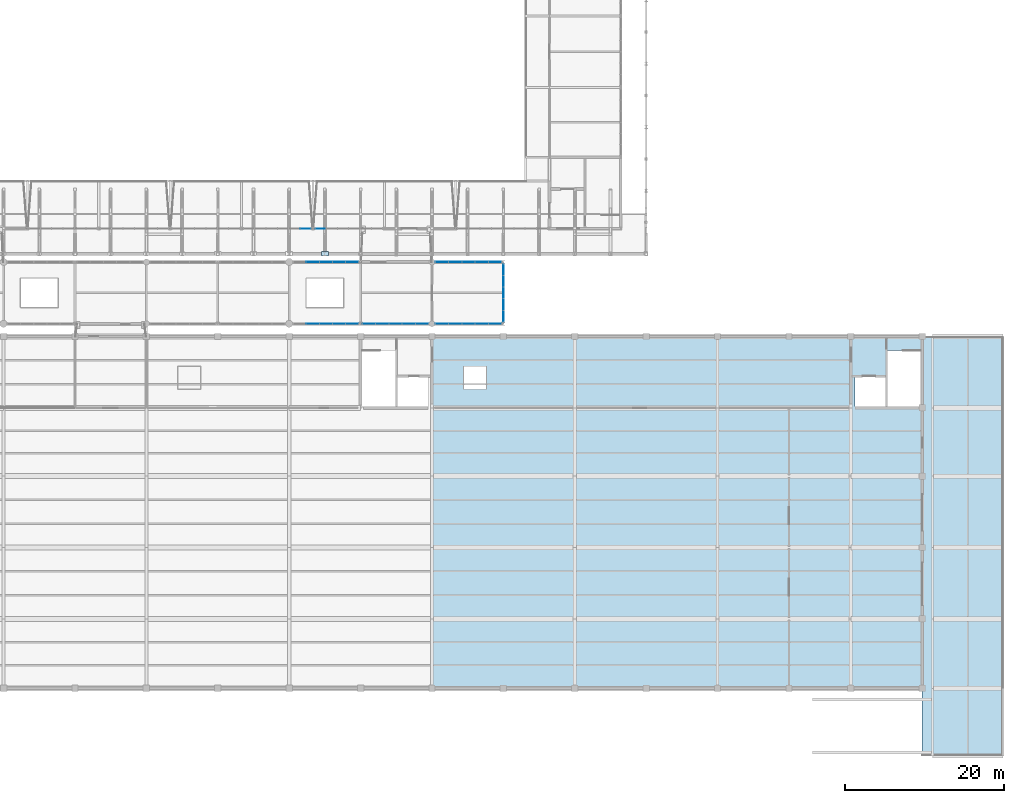
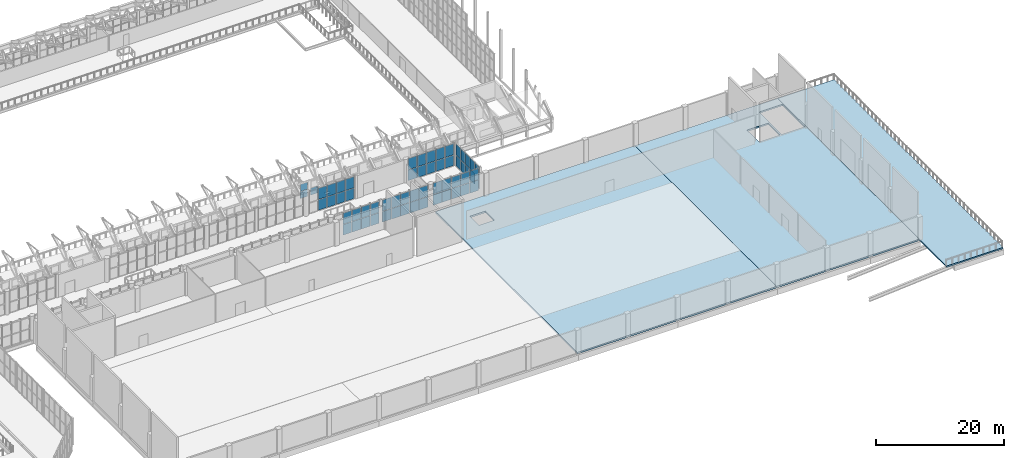
# One storey, part 101 of 134: 60 plates, 3 slabs, 8 elements without a shape of their own.
"""IFC4 building model written with IfcOpenShell, lengths in metres."""

from ifc_helpers import new_model, si_unit, direction, frame, origin, origin_2d, place, context, subcontext, project, spatial, polyline, rectangle, outline, extrude, material, layer, layer_set, type_object, element, aggregate, save


model = new_model("IFC4")

# Units and contexts
model_context = context("Model", 3, precision=1e-05, world=origin(), true_north=direction((0.0, 1.0)))
body_context = subcontext(model_context, "Body", "Model", "MODEL_VIEW")
ifc_project = project(units=[si_unit("LENGTHUNIT", "METRE"), si_unit("AREAUNIT", "SQUARE_METRE"), si_unit("VOLUMEUNIT", "CUBIC_METRE"), si_unit("PLANEANGLEUNIT", "RADIAN"), si_unit("MASSUNIT", "GRAM", prefix="KILO")], contexts=[model_context])

# Site, building, storey
site_placement = place(None, origin())
site = spatial("IfcSite", under=ifc_project, at=site_placement, CompositionType="ELEMENT")
building_placement = place(site_placement, origin())
building = spatial("IfcBuilding", under=site, at=building_placement, Name="Cazmaro Siding Exhibition Halls", CompositionType="ELEMENT")
storey_placement = place(building_placement, frame((0.0, 0.0, 12.0)))
storey = spatial("IfcBuildingStorey", under=building, at=storey_placement, Name="L02", CompositionType="ELEMENT", Elevation=12.0)

# Plate
ifc_material_1 = material(Name="Steel ASTM A572 Grade 50", Category="steel")
ifc_layer_1 = layer(ifc_material_1, 0.053955078125)
ifc_layer_set_1 = layer_set([ifc_layer_1], Name="Steel ASTM A572 Grade 50")
plate_type_1 = type_object("IfcPlateType", Name="CP-10", PredefinedType="SHEET", material=ifc_layer_set_1)
plate_1_placement = place(storey_placement, frame((130.5, 64.050048828125, 1.9228515625), z_axis=(0.0, 0.0, 1.0), x_axis=(1.0, 0.0, 0.0)))
element("IfcPlate", 1, at=plate_1_placement, inside=storey, type_object=plate_type_1, Name="Space frame vault springing end-cap plate CP-10 node TN-01", PredefinedType="SHEET", context=body_context, shape_type="SweptSolid", body=[
    extrude(rectangle(XDim=0.8798828125, YDim=0.56005859375, at=origin_2d()), origin(), (0.0, 0.0, 1.0), 0.053955078125),
])

# Curtain wall, plates
ifc_material_2 = material(Name="Anodized Bronze Aluminum and Solar-Control Low-E Glazing", Category="aluminium")
ifc_layer_2 = layer(ifc_material_2, 0.199951171875)
ifc_layer_set_2 = layer_set([ifc_layer_2], Name="Anodized Bronze Aluminum and Solar-Control Low-E Glazing")
curtain_wall_type_1 = type_object("IfcCurtainWallType", Name="CWS-02", PredefinedType="USERDEFINED", material=ifc_layer_set_2)
curtain_wall_1_placement = place(storey_placement, origin())
curtain_wall_1 = element("IfcCurtainWall", 2, at=curtain_wall_1_placement, inside=storey, type_object=curtain_wall_type_1, Name="Glazed Curtain Wall CWS-02 CW-193", ObjectType="GLAZED CURTAIN WALL", PredefinedType="USERDEFINED")
ifc_material_3 = material(Name="Solar-Control Low-E Double Insulating Glass", Category="glass")
ifc_layer_3 = layer(ifc_material_3, 0.035888671875)
ifc_layer_set_3 = layer_set([ifc_layer_3], Name="Solar-Control Low-E Double Insulating Glass")
plate_type_2 = type_object("IfcPlateType", Name="CWP-02", PredefinedType="CURTAIN_PANEL", material=ifc_layer_set_3)
plate_2_placement = place(storey_placement, frame((128.968994140625, 55.199951171875, 0.06494140625), z_axis=(0.0, 0.0, 1.0), x_axis=(1.0, 0.0, 0.0)))
plate_2 = element("IfcPlate", 3, at=plate_2_placement, type_object=plate_type_2, Name="CWS-02 panel 2.1", PredefinedType="CURTAIN_PANEL", context=body_context, shape_type="SweptSolid", body=[
    extrude(rectangle(XDim=1.59228515625, YDim=0.035888671875, at=origin_2d()), origin(), (0.0, 0.0, 1.0), 2.00244140625),
])
plate_3_placement = place(storey_placement, frame((128.968994140625, 55.199951171875, 2.132568359375), z_axis=(0.0, 0.0, 1.0), x_axis=(1.0, 0.0, 0.0)))
plate_3 = element("IfcPlate", 4, at=plate_3_placement, type_object=plate_type_2, Name="CWS-02 panel 2.2", PredefinedType="CURTAIN_PANEL", context=body_context, shape_type="SweptSolid", body=[
    extrude(rectangle(XDim=1.59228515625, YDim=0.035888671875, at=origin_2d()), origin(), (0.0, 0.0, 1.0), 2.12744140625),
])
plate_4_placement = place(storey_placement, frame((130.62646484375, 55.199951171875, 0.06494140625), z_axis=(0.0, 0.0, 1.0), x_axis=(1.0, 0.0, 0.0)))
plate_4 = element("IfcPlate", 5, at=plate_4_placement, type_object=plate_type_2, Name="CWS-02 panel 3.1", PredefinedType="CURTAIN_PANEL", context=body_context, shape_type="SweptSolid", body=[
    extrude(rectangle(XDim=1.59228515625, YDim=0.035888671875, at=origin_2d()), origin(), (0.0, 0.0, 1.0), 2.00244140625),
])
plate_5_placement = place(storey_placement, frame((130.62646484375, 55.199951171875, 2.132568359375), z_axis=(0.0, 0.0, 1.0), x_axis=(1.0, 0.0, 0.0)))
plate_5 = element("IfcPlate", 6, at=plate_5_placement, type_object=plate_type_2, Name="CWS-02 panel 3.2", PredefinedType="CURTAIN_PANEL", context=body_context, shape_type="SweptSolid", body=[
    extrude(rectangle(XDim=1.59228515625, YDim=0.035888671875, at=origin_2d()), origin(), (0.0, 0.0, 1.0), 2.12744140625),
])
plate_6_placement = place(storey_placement, frame((132.283935546875, 55.199951171875, 0.06494140625), z_axis=(0.0, 0.0, 1.0), x_axis=(1.0, 0.0, 0.0)))
plate_6 = element("IfcPlate", 7, at=plate_6_placement, type_object=plate_type_2, Name="CWS-02 panel 4.1", PredefinedType="CURTAIN_PANEL", context=body_context, shape_type="SweptSolid", body=[
    extrude(rectangle(XDim=1.59228515625, YDim=0.035888671875, at=origin_2d()), origin(), (0.0, 0.0, 1.0), 2.00244140625),
])
plate_7_placement = place(storey_placement, frame((132.283935546875, 55.199951171875, 2.132568359375), z_axis=(0.0, 0.0, 1.0), x_axis=(1.0, 0.0, 0.0)))
plate_7 = element("IfcPlate", 8, at=plate_7_placement, type_object=plate_type_2, Name="CWS-02 panel 4.2", PredefinedType="CURTAIN_PANEL", context=body_context, shape_type="SweptSolid", body=[
    extrude(rectangle(XDim=1.59228515625, YDim=0.035888671875, at=origin_2d()), origin(), (0.0, 0.0, 1.0), 2.12744140625),
])
plate_8_placement = place(storey_placement, frame((133.925048828125, 55.199951171875, 0.06494140625), z_axis=(0.0, 0.0, 1.0), x_axis=(1.0, 0.0, 0.0)))
plate_8 = element("IfcPlate", 9, at=plate_8_placement, type_object=plate_type_2, Name="CWS-02 panel 5.1", PredefinedType="CURTAIN_PANEL", context=body_context, shape_type="SweptSolid", body=[
    extrude(rectangle(XDim=1.559814453125, YDim=0.035888671875, at=origin_2d()), origin(), (0.0, 0.0, 1.0), 2.00244140625),
])
plate_9_placement = place(storey_placement, frame((133.925048828125, 55.199951171875, 2.132568359375), z_axis=(0.0, 0.0, 1.0), x_axis=(1.0, 0.0, 0.0)))
plate_9 = element("IfcPlate", 10, at=plate_9_placement, type_object=plate_type_2, Name="CWS-02 panel 5.2", PredefinedType="CURTAIN_PANEL", context=body_context, shape_type="SweptSolid", body=[
    extrude(rectangle(XDim=1.559814453125, YDim=0.035888671875, at=origin_2d()), origin(), (0.0, 0.0, 1.0), 2.12744140625),
])
aggregate(curtain_wall_1, [plate_2, plate_3, plate_4, plate_5, plate_6, plate_7, plate_8, plate_9])

curtain_wall_2_placement = place(storey_placement, origin())
curtain_wall_2 = element("IfcCurtainWall", 11, at=curtain_wall_2_placement, inside=storey, type_object=curtain_wall_type_1, Name="Glazed Curtain Wall CWS-02 CW-195", ObjectType="GLAZED CURTAIN WALL", PredefinedType="USERDEFINED")
plate_10_placement = place(storey_placement, frame((133.925048828125, 63.0, 0.06494140625), z_axis=(0.0, 0.0, 1.0), x_axis=(-1.0, 0.0, 0.0)))
plate_10 = element("IfcPlate", 12, at=plate_10_placement, type_object=plate_type_2, Name="CWS-02 panel 1.1", PredefinedType="CURTAIN_PANEL", context=body_context, shape_type="SweptSolid", body=[
    extrude(rectangle(XDim=1.559814453125, YDim=0.035888671875, at=origin_2d()), origin(), (0.0, 0.0, 1.0), 2.00244140625),
])
plate_11_placement = place(storey_placement, frame((133.925048828125, 63.0, 2.132568359375), z_axis=(0.0, 0.0, 1.0), x_axis=(-1.0, 0.0, 0.0)))
plate_11 = element("IfcPlate", 13, at=plate_11_placement, type_object=plate_type_2, Name="CWS-02 panel 1.2", PredefinedType="CURTAIN_PANEL", context=body_context, shape_type="SweptSolid", body=[
    extrude(rectangle(XDim=1.559814453125, YDim=0.035888671875, at=origin_2d()), origin(), (0.0, 0.0, 1.0), 2.12744140625),
])
plate_12_placement = place(storey_placement, frame((132.283935546875, 63.0, 0.06494140625), z_axis=(0.0, 0.0, 1.0), x_axis=(-1.0, 0.0, 0.0)))
plate_12 = element("IfcPlate", 14, at=plate_12_placement, type_object=plate_type_2, Name="CWS-02 panel 2.1", PredefinedType="CURTAIN_PANEL", context=body_context, shape_type="SweptSolid", body=[
    extrude(rectangle(XDim=1.59228515625, YDim=0.035888671875, at=origin_2d()), origin(), (0.0, 0.0, 1.0), 2.00244140625),
])
plate_13_placement = place(storey_placement, frame((132.283935546875, 63.0, 2.132568359375), z_axis=(0.0, 0.0, 1.0), x_axis=(-1.0, 0.0, 0.0)))
plate_13 = element("IfcPlate", 15, at=plate_13_placement, type_object=plate_type_2, Name="CWS-02 panel 2.2", PredefinedType="CURTAIN_PANEL", context=body_context, shape_type="SweptSolid", body=[
    extrude(rectangle(XDim=1.59228515625, YDim=0.035888671875, at=origin_2d()), origin(), (0.0, 0.0, 1.0), 2.12744140625),
])
plate_14_placement = place(storey_placement, frame((130.62646484375, 63.0, 0.06494140625), z_axis=(0.0, 0.0, 1.0), x_axis=(-1.0, 0.0, 0.0)))
plate_14 = element("IfcPlate", 16, at=plate_14_placement, type_object=plate_type_2, Name="CWS-02 panel 3.1", PredefinedType="CURTAIN_PANEL", context=body_context, shape_type="SweptSolid", body=[
    extrude(rectangle(XDim=1.59228515625, YDim=0.035888671875, at=origin_2d()), origin(), (0.0, 0.0, 1.0), 2.00244140625),
])
plate_15_placement = place(storey_placement, frame((130.62646484375, 63.0, 2.132568359375), z_axis=(0.0, 0.0, 1.0), x_axis=(-1.0, 0.0, 0.0)))
plate_15 = element("IfcPlate", 17, at=plate_15_placement, type_object=plate_type_2, Name="CWS-02 panel 3.2", PredefinedType="CURTAIN_PANEL", context=body_context, shape_type="SweptSolid", body=[
    extrude(rectangle(XDim=1.59228515625, YDim=0.035888671875, at=origin_2d()), origin(), (0.0, 0.0, 1.0), 2.12744140625),
])
plate_16_placement = place(storey_placement, frame((128.968994140625, 63.0, 0.06494140625), z_axis=(0.0, 0.0, 1.0), x_axis=(-1.0, 0.0, 0.0)))
plate_16 = element("IfcPlate", 18, at=plate_16_placement, type_object=plate_type_2, Name="CWS-02 panel 4.1", PredefinedType="CURTAIN_PANEL", context=body_context, shape_type="SweptSolid", body=[
    extrude(rectangle(XDim=1.59228515625, YDim=0.035888671875, at=origin_2d()), origin(), (0.0, 0.0, 1.0), 2.00244140625),
])
plate_17_placement = place(storey_placement, frame((128.968994140625, 63.0, 2.132568359375), z_axis=(0.0, 0.0, 1.0), x_axis=(-1.0, 0.0, 0.0)))
plate_17 = element("IfcPlate", 19, at=plate_17_placement, type_object=plate_type_2, Name="CWS-02 panel 4.2", PredefinedType="CURTAIN_PANEL", context=body_context, shape_type="SweptSolid", body=[
    extrude(rectangle(XDim=1.59228515625, YDim=0.035888671875, at=origin_2d()), origin(), (0.0, 0.0, 1.0), 2.12744140625),
])
aggregate(curtain_wall_2, [plate_10, plate_11, plate_12, plate_13, plate_14, plate_15, plate_16, plate_17])

curtain_wall_3_placement = place(storey_placement, origin())
curtain_wall_3 = element("IfcCurtainWall", 20, at=curtain_wall_3_placement, inside=storey, type_object=curtain_wall_type_1, Name="Glazed Curtain Wall CWS-02 CW-199", ObjectType="GLAZED CURTAIN WALL", PredefinedType="USERDEFINED")
plate_18_placement = place(storey_placement, frame((136.08251953125, 55.199951171875, 0.06494140625), z_axis=(0.0, 0.0, 1.0), x_axis=(1.0, 0.0, 0.0)))
plate_18 = element("IfcPlate", 21, at=plate_18_placement, type_object=plate_type_2, Name="CWS-02 panel 1.1", PredefinedType="CURTAIN_PANEL", context=body_context, shape_type="SweptSolid", body=[
    extrude(rectangle(XDim=1.574951171875, YDim=0.035888671875, at=origin_2d()), origin(), (0.0, 0.0, 1.0), 2.00244140625),
])
plate_19_placement = place(storey_placement, frame((136.08251953125, 55.199951171875, 2.132568359375), z_axis=(0.0, 0.0, 1.0), x_axis=(1.0, 0.0, 0.0)))
plate_19 = element("IfcPlate", 22, at=plate_19_placement, type_object=plate_type_2, Name="CWS-02 panel 1.2", PredefinedType="CURTAIN_PANEL", context=body_context, shape_type="SweptSolid", body=[
    extrude(rectangle(XDim=1.574951171875, YDim=0.035888671875, at=origin_2d()), origin(), (0.0, 0.0, 1.0), 2.12744140625),
])
plate_20_placement = place(storey_placement, frame((137.738525390625, 55.199951171875, 0.06494140625), z_axis=(0.0, 0.0, 1.0), x_axis=(1.0, 0.0, 0.0)))
plate_20 = element("IfcPlate", 23, at=plate_20_placement, type_object=plate_type_2, Name="CWS-02 panel 2.1", PredefinedType="CURTAIN_PANEL", context=body_context, shape_type="SweptSolid", body=[
    extrude(rectangle(XDim=1.607421875, YDim=0.035888671875, at=origin_2d()), origin(), (0.0, 0.0, 1.0), 2.00244140625),
])
plate_21_placement = place(storey_placement, frame((137.738525390625, 55.199951171875, 2.132568359375), z_axis=(0.0, 0.0, 1.0), x_axis=(1.0, 0.0, 0.0)))
plate_21 = element("IfcPlate", 24, at=plate_21_placement, type_object=plate_type_2, Name="CWS-02 panel 2.2", PredefinedType="CURTAIN_PANEL", context=body_context, shape_type="SweptSolid", body=[
    extrude(rectangle(XDim=1.607421875, YDim=0.035888671875, at=origin_2d()), origin(), (0.0, 0.0, 1.0), 2.12744140625),
])
plate_22_placement = place(storey_placement, frame((139.410888671875, 55.199951171875, 0.06494140625), z_axis=(0.0, 0.0, 1.0), x_axis=(1.0, 0.0, 0.0)))
plate_22 = element("IfcPlate", 25, at=plate_22_placement, type_object=plate_type_2, Name="CWS-02 panel 3.1", PredefinedType="CURTAIN_PANEL", context=body_context, shape_type="SweptSolid", body=[
    extrude(rectangle(XDim=1.607421875, YDim=0.035888671875, at=origin_2d()), origin(), (0.0, 0.0, 1.0), 2.00244140625),
])
plate_23_placement = place(storey_placement, frame((139.410888671875, 55.199951171875, 2.132568359375), z_axis=(0.0, 0.0, 1.0), x_axis=(1.0, 0.0, 0.0)))
plate_23 = element("IfcPlate", 26, at=plate_23_placement, type_object=plate_type_2, Name="CWS-02 panel 3.2", PredefinedType="CURTAIN_PANEL", context=body_context, shape_type="SweptSolid", body=[
    extrude(rectangle(XDim=1.607421875, YDim=0.035888671875, at=origin_2d()), origin(), (0.0, 0.0, 1.0), 2.12744140625),
])
plate_24_placement = place(storey_placement, frame((141.08349609375, 55.199951171875, 0.06494140625), z_axis=(0.0, 0.0, 1.0), x_axis=(1.0, 0.0, 0.0)))
plate_24 = element("IfcPlate", 27, at=plate_24_placement, type_object=plate_type_2, Name="CWS-02 panel 4.1", PredefinedType="CURTAIN_PANEL", context=body_context, shape_type="SweptSolid", body=[
    extrude(rectangle(XDim=1.607421875, YDim=0.035888671875, at=origin_2d()), origin(), (0.0, 0.0, 1.0), 2.00244140625),
])
plate_25_placement = place(storey_placement, frame((141.08349609375, 55.199951171875, 2.132568359375), z_axis=(0.0, 0.0, 1.0), x_axis=(1.0, 0.0, 0.0)))
plate_25 = element("IfcPlate", 28, at=plate_25_placement, type_object=plate_type_2, Name="CWS-02 panel 4.2", PredefinedType="CURTAIN_PANEL", context=body_context, shape_type="SweptSolid", body=[
    extrude(rectangle(XDim=1.607421875, YDim=0.035888671875, at=origin_2d()), origin(), (0.0, 0.0, 1.0), 2.12744140625),
])
plate_26_placement = place(storey_placement, frame((142.739501953125, 55.199951171875, 0.06494140625), z_axis=(0.0, 0.0, 1.0), x_axis=(1.0, 0.0, 0.0)))
plate_26 = element("IfcPlate", 29, at=plate_26_placement, type_object=plate_type_2, Name="CWS-02 panel 5.1", PredefinedType="CURTAIN_PANEL", context=body_context, shape_type="SweptSolid", body=[
    extrude(rectangle(XDim=1.574951171875, YDim=0.035888671875, at=origin_2d()), origin(), (0.0, 0.0, 1.0), 2.00244140625),
])
plate_27_placement = place(storey_placement, frame((142.739501953125, 55.199951171875, 2.132568359375), z_axis=(0.0, 0.0, 1.0), x_axis=(1.0, 0.0, 0.0)))
plate_27 = element("IfcPlate", 30, at=plate_27_placement, type_object=plate_type_2, Name="CWS-02 panel 5.2", PredefinedType="CURTAIN_PANEL", context=body_context, shape_type="SweptSolid", body=[
    extrude(rectangle(XDim=1.574951171875, YDim=0.035888671875, at=origin_2d()), origin(), (0.0, 0.0, 1.0), 2.12744140625),
])
aggregate(curtain_wall_3, [plate_18, plate_19, plate_20, plate_21, plate_22, plate_23, plate_24, plate_25, plate_26, plate_27])

curtain_wall_4_placement = place(storey_placement, origin())
curtain_wall_4 = element("IfcCurtainWall", 31, at=curtain_wall_4_placement, inside=storey, type_object=curtain_wall_type_1, Name="Glazed Curtain Wall CWS-02 CW-202", ObjectType="GLAZED CURTAIN WALL", PredefinedType="USERDEFINED")
plate_28_placement = place(storey_placement, frame((145.260498046875, 55.199951171875, 0.06494140625), z_axis=(0.0, 0.0, 1.0), x_axis=(1.0, 0.0, 0.0)))
plate_28 = element("IfcPlate", 32, at=plate_28_placement, type_object=plate_type_2, Name="CWS-02 panel 1.1", PredefinedType="CURTAIN_PANEL", context=body_context, shape_type="SweptSolid", body=[
    extrude(rectangle(XDim=1.574951171875, YDim=0.035888671875, at=origin_2d()), origin(), (0.0, 0.0, 1.0), 2.00244140625),
])
plate_29_placement = place(storey_placement, frame((145.260498046875, 55.199951171875, 2.132568359375), z_axis=(0.0, 0.0, 1.0), x_axis=(1.0, 0.0, 0.0)))
plate_29 = element("IfcPlate", 33, at=plate_29_placement, type_object=plate_type_2, Name="CWS-02 panel 1.2", PredefinedType="CURTAIN_PANEL", context=body_context, shape_type="SweptSolid", body=[
    extrude(rectangle(XDim=1.574951171875, YDim=0.035888671875, at=origin_2d()), origin(), (0.0, 0.0, 1.0), 2.12744140625),
])
plate_30_placement = place(storey_placement, frame((146.91650390625, 55.199951171875, 0.06494140625), z_axis=(0.0, 0.0, 1.0), x_axis=(1.0, 0.0, 0.0)))
plate_30 = element("IfcPlate", 34, at=plate_30_placement, type_object=plate_type_2, Name="CWS-02 panel 2.1", PredefinedType="CURTAIN_PANEL", context=body_context, shape_type="SweptSolid", body=[
    extrude(rectangle(XDim=1.607421875, YDim=0.035888671875, at=origin_2d()), origin(), (0.0, 0.0, 1.0), 2.00244140625),
])
plate_31_placement = place(storey_placement, frame((146.91650390625, 55.199951171875, 2.132568359375), z_axis=(0.0, 0.0, 1.0), x_axis=(1.0, 0.0, 0.0)))
plate_31 = element("IfcPlate", 35, at=plate_31_placement, type_object=plate_type_2, Name="CWS-02 panel 2.2", PredefinedType="CURTAIN_PANEL", context=body_context, shape_type="SweptSolid", body=[
    extrude(rectangle(XDim=1.607421875, YDim=0.035888671875, at=origin_2d()), origin(), (0.0, 0.0, 1.0), 2.12744140625),
])
plate_32_placement = place(storey_placement, frame((148.589111328125, 55.199951171875, 0.06494140625), z_axis=(0.0, 0.0, 1.0), x_axis=(1.0, 0.0, 0.0)))
plate_32 = element("IfcPlate", 36, at=plate_32_placement, type_object=plate_type_2, Name="CWS-02 panel 3.1", PredefinedType="CURTAIN_PANEL", context=body_context, shape_type="SweptSolid", body=[
    extrude(rectangle(XDim=1.607421875, YDim=0.035888671875, at=origin_2d()), origin(), (0.0, 0.0, 1.0), 2.00244140625),
])
plate_33_placement = place(storey_placement, frame((148.589111328125, 55.199951171875, 2.132568359375), z_axis=(0.0, 0.0, 1.0), x_axis=(1.0, 0.0, 0.0)))
plate_33 = element("IfcPlate", 37, at=plate_33_placement, type_object=plate_type_2, Name="CWS-02 panel 3.2", PredefinedType="CURTAIN_PANEL", context=body_context, shape_type="SweptSolid", body=[
    extrude(rectangle(XDim=1.607421875, YDim=0.035888671875, at=origin_2d()), origin(), (0.0, 0.0, 1.0), 2.12744140625),
])
plate_34_placement = place(storey_placement, frame((150.261474609375, 55.199951171875, 0.06494140625), z_axis=(0.0, 0.0, 1.0), x_axis=(1.0, 0.0, 0.0)))
plate_34 = element("IfcPlate", 38, at=plate_34_placement, type_object=plate_type_2, Name="CWS-02 panel 4.1", PredefinedType="CURTAIN_PANEL", context=body_context, shape_type="SweptSolid", body=[
    extrude(rectangle(XDim=1.607421875, YDim=0.035888671875, at=origin_2d()), origin(), (0.0, 0.0, 1.0), 2.00244140625),
])
plate_35_placement = place(storey_placement, frame((150.261474609375, 55.199951171875, 2.132568359375), z_axis=(0.0, 0.0, 1.0), x_axis=(1.0, 0.0, 0.0)))
plate_35 = element("IfcPlate", 39, at=plate_35_placement, type_object=plate_type_2, Name="CWS-02 panel 4.2", PredefinedType="CURTAIN_PANEL", context=body_context, shape_type="SweptSolid", body=[
    extrude(rectangle(XDim=1.607421875, YDim=0.035888671875, at=origin_2d()), origin(), (0.0, 0.0, 1.0), 2.12744140625),
])
plate_36_placement = place(storey_placement, frame((151.91748046875, 55.199951171875, 0.06494140625), z_axis=(0.0, 0.0, 1.0), x_axis=(1.0, 0.0, 0.0)))
plate_36 = element("IfcPlate", 40, at=plate_36_placement, type_object=plate_type_2, Name="CWS-02 panel 5.1", PredefinedType="CURTAIN_PANEL", context=body_context, shape_type="SweptSolid", body=[
    extrude(rectangle(XDim=1.574951171875, YDim=0.035888671875, at=origin_2d()), origin(), (0.0, 0.0, 1.0), 2.00244140625),
])
plate_37_placement = place(storey_placement, frame((151.91748046875, 55.199951171875, 2.132568359375), z_axis=(0.0, 0.0, 1.0), x_axis=(1.0, 0.0, 0.0)))
plate_37 = element("IfcPlate", 41, at=plate_37_placement, type_object=plate_type_2, Name="CWS-02 panel 5.2", PredefinedType="CURTAIN_PANEL", context=body_context, shape_type="SweptSolid", body=[
    extrude(rectangle(XDim=1.574951171875, YDim=0.035888671875, at=origin_2d()), origin(), (0.0, 0.0, 1.0), 2.12744140625),
])
aggregate(curtain_wall_4, [plate_28, plate_29, plate_30, plate_31, plate_32, plate_33, plate_34, plate_35, plate_36, plate_37])

curtain_wall_5_placement = place(storey_placement, origin())
curtain_wall_5 = element("IfcCurtainWall", 42, at=curtain_wall_5_placement, inside=storey, type_object=curtain_wall_type_1, Name="Glazed Curtain Wall CWS-02 CW-204", ObjectType="GLAZED CURTAIN WALL", PredefinedType="USERDEFINED")
plate_38_placement = place(storey_placement, frame((151.91748046875, 63.0, 0.06494140625), z_axis=(0.0, 0.0, 1.0), x_axis=(-1.0, 0.0, 0.0)))
plate_38 = element("IfcPlate", 43, at=plate_38_placement, type_object=plate_type_2, Name="CWS-02 panel 1.1", PredefinedType="CURTAIN_PANEL", context=body_context, shape_type="SweptSolid", body=[
    extrude(rectangle(XDim=1.574951171875, YDim=0.035888671875, at=origin_2d()), origin(), (0.0, 0.0, 1.0), 2.00244140625),
])
plate_39_placement = place(storey_placement, frame((151.91748046875, 63.0, 2.132568359375), z_axis=(0.0, 0.0, 1.0), x_axis=(-1.0, 0.0, 0.0)))
plate_39 = element("IfcPlate", 44, at=plate_39_placement, type_object=plate_type_2, Name="CWS-02 panel 1.2", PredefinedType="CURTAIN_PANEL", context=body_context, shape_type="SweptSolid", body=[
    extrude(rectangle(XDim=1.574951171875, YDim=0.035888671875, at=origin_2d()), origin(), (0.0, 0.0, 1.0), 2.12744140625),
])
plate_40_placement = place(storey_placement, frame((150.261474609375, 63.0, 0.06494140625), z_axis=(0.0, 0.0, 1.0), x_axis=(-1.0, 0.0, 0.0)))
plate_40 = element("IfcPlate", 45, at=plate_40_placement, type_object=plate_type_2, Name="CWS-02 panel 2.1", PredefinedType="CURTAIN_PANEL", context=body_context, shape_type="SweptSolid", body=[
    extrude(rectangle(XDim=1.607421875, YDim=0.035888671875, at=origin_2d()), origin(), (0.0, 0.0, 1.0), 2.00244140625),
])
plate_41_placement = place(storey_placement, frame((150.261474609375, 63.0, 2.132568359375), z_axis=(0.0, 0.0, 1.0), x_axis=(-1.0, 0.0, 0.0)))
plate_41 = element("IfcPlate", 46, at=plate_41_placement, type_object=plate_type_2, Name="CWS-02 panel 2.2", PredefinedType="CURTAIN_PANEL", context=body_context, shape_type="SweptSolid", body=[
    extrude(rectangle(XDim=1.607421875, YDim=0.035888671875, at=origin_2d()), origin(), (0.0, 0.0, 1.0), 2.12744140625),
])
plate_42_placement = place(storey_placement, frame((148.589111328125, 63.0, 0.06494140625), z_axis=(0.0, 0.0, 1.0), x_axis=(-1.0, 0.0, 0.0)))
plate_42 = element("IfcPlate", 47, at=plate_42_placement, type_object=plate_type_2, Name="CWS-02 panel 3.1", PredefinedType="CURTAIN_PANEL", context=body_context, shape_type="SweptSolid", body=[
    extrude(rectangle(XDim=1.607421875, YDim=0.035888671875, at=origin_2d()), origin(), (0.0, 0.0, 1.0), 2.00244140625),
])
plate_43_placement = place(storey_placement, frame((148.589111328125, 63.0, 2.132568359375), z_axis=(0.0, 0.0, 1.0), x_axis=(-1.0, 0.0, 0.0)))
plate_43 = element("IfcPlate", 48, at=plate_43_placement, type_object=plate_type_2, Name="CWS-02 panel 3.2", PredefinedType="CURTAIN_PANEL", context=body_context, shape_type="SweptSolid", body=[
    extrude(rectangle(XDim=1.607421875, YDim=0.035888671875, at=origin_2d()), origin(), (0.0, 0.0, 1.0), 2.12744140625),
])
plate_44_placement = place(storey_placement, frame((146.91650390625, 63.0, 0.06494140625), z_axis=(0.0, 0.0, 1.0), x_axis=(-1.0, 0.0, 0.0)))
plate_44 = element("IfcPlate", 49, at=plate_44_placement, type_object=plate_type_2, Name="CWS-02 panel 4.1", PredefinedType="CURTAIN_PANEL", context=body_context, shape_type="SweptSolid", body=[
    extrude(rectangle(XDim=1.607421875, YDim=0.035888671875, at=origin_2d()), origin(), (0.0, 0.0, 1.0), 2.00244140625),
])
plate_45_placement = place(storey_placement, frame((146.91650390625, 63.0, 2.132568359375), z_axis=(0.0, 0.0, 1.0), x_axis=(-1.0, 0.0, 0.0)))
plate_45 = element("IfcPlate", 50, at=plate_45_placement, type_object=plate_type_2, Name="CWS-02 panel 4.2", PredefinedType="CURTAIN_PANEL", context=body_context, shape_type="SweptSolid", body=[
    extrude(rectangle(XDim=1.607421875, YDim=0.035888671875, at=origin_2d()), origin(), (0.0, 0.0, 1.0), 2.12744140625),
])
plate_46_placement = place(storey_placement, frame((145.260498046875, 63.0, 0.06494140625), z_axis=(0.0, 0.0, 1.0), x_axis=(-1.0, 0.0, 0.0)))
plate_46 = element("IfcPlate", 51, at=plate_46_placement, type_object=plate_type_2, Name="CWS-02 panel 5.1", PredefinedType="CURTAIN_PANEL", context=body_context, shape_type="SweptSolid", body=[
    extrude(rectangle(XDim=1.574951171875, YDim=0.035888671875, at=origin_2d()), origin(), (0.0, 0.0, 1.0), 2.00244140625),
])
plate_47_placement = place(storey_placement, frame((145.260498046875, 63.0, 2.132568359375), z_axis=(0.0, 0.0, 1.0), x_axis=(-1.0, 0.0, 0.0)))
plate_47 = element("IfcPlate", 52, at=plate_47_placement, type_object=plate_type_2, Name="CWS-02 panel 5.2", PredefinedType="CURTAIN_PANEL", context=body_context, shape_type="SweptSolid", body=[
    extrude(rectangle(XDim=1.574951171875, YDim=0.035888671875, at=origin_2d()), origin(), (0.0, 0.0, 1.0), 2.12744140625),
])
aggregate(curtain_wall_5, [plate_38, plate_39, plate_40, plate_41, plate_42, plate_43, plate_44, plate_45, plate_46, plate_47])

curtain_wall_6_placement = place(storey_placement, origin())
curtain_wall_6 = element("IfcCurtainWall", 53, at=curtain_wall_6_placement, inside=storey, type_object=curtain_wall_type_1, Name="Glazed Curtain Wall CWS-02 CW-209", ObjectType="GLAZED CURTAIN WALL", PredefinedType="USERDEFINED")
plate_48_placement = place(storey_placement, frame((153.0, 56.177734375, 0.06494140625), z_axis=(0.0, 0.0, 1.0), x_axis=(0.0, 1.0, 0.0)))
plate_48 = element("IfcPlate", 54, at=plate_48_placement, type_object=plate_type_2, Name="CWS-02 panel 1.1", PredefinedType="CURTAIN_PANEL", context=body_context, shape_type="SweptSolid", body=[
    extrude(rectangle(XDim=1.37158203125, YDim=0.035888671875, at=origin_2d()), origin(), (0.0, 0.0, 1.0), 2.00244140625),
])
plate_49_placement = place(storey_placement, frame((153.0, 56.177734375, 2.132568359375), z_axis=(0.0, 0.0, 1.0), x_axis=(0.0, 1.0, 0.0)))
plate_49 = element("IfcPlate", 55, at=plate_49_placement, type_object=plate_type_2, Name="CWS-02 panel 1.2", PredefinedType="CURTAIN_PANEL", context=body_context, shape_type="SweptSolid", body=[
    extrude(rectangle(XDim=1.37158203125, YDim=0.035888671875, at=origin_2d()), origin(), (0.0, 0.0, 1.0), 2.12744140625),
])
plate_50_placement = place(storey_placement, frame((153.0, 57.630859375, 0.06494140625), z_axis=(0.0, 0.0, 1.0), x_axis=(0.0, 1.0, 0.0)))
plate_50 = element("IfcPlate", 56, at=plate_50_placement, type_object=plate_type_2, Name="CWS-02 panel 2.1", PredefinedType="CURTAIN_PANEL", context=body_context, shape_type="SweptSolid", body=[
    extrude(rectangle(XDim=1.404296875, YDim=0.035888671875, at=origin_2d()), origin(), (0.0, 0.0, 1.0), 2.00244140625),
])
plate_51_placement = place(storey_placement, frame((153.0, 57.630859375, 2.132568359375), z_axis=(0.0, 0.0, 1.0), x_axis=(0.0, 1.0, 0.0)))
plate_51 = element("IfcPlate", 57, at=plate_51_placement, type_object=plate_type_2, Name="CWS-02 panel 2.2", PredefinedType="CURTAIN_PANEL", context=body_context, shape_type="SweptSolid", body=[
    extrude(rectangle(XDim=1.404296875, YDim=0.035888671875, at=origin_2d()), origin(), (0.0, 0.0, 1.0), 2.12744140625),
])
plate_52_placement = place(storey_placement, frame((153.0, 59.10009765625, 0.06494140625), z_axis=(0.0, 0.0, 1.0), x_axis=(0.0, 1.0, 0.0)))
plate_52 = element("IfcPlate", 58, at=plate_52_placement, type_object=plate_type_2, Name="CWS-02 panel 3.1", PredefinedType="CURTAIN_PANEL", context=body_context, shape_type="SweptSolid", body=[
    extrude(rectangle(XDim=1.404296875, YDim=0.035888671875, at=origin_2d()), origin(), (0.0, 0.0, 1.0), 2.00244140625),
])
plate_53_placement = place(storey_placement, frame((153.0, 59.10009765625, 2.132568359375), z_axis=(0.0, 0.0, 1.0), x_axis=(0.0, 1.0, 0.0)))
plate_53 = element("IfcPlate", 59, at=plate_53_placement, type_object=plate_type_2, Name="CWS-02 panel 3.2", PredefinedType="CURTAIN_PANEL", context=body_context, shape_type="SweptSolid", body=[
    extrude(rectangle(XDim=1.404296875, YDim=0.035888671875, at=origin_2d()), origin(), (0.0, 0.0, 1.0), 2.12744140625),
])
plate_54_placement = place(storey_placement, frame((153.0, 60.569091796875, 0.06494140625), z_axis=(0.0, 0.0, 1.0), x_axis=(0.0, 1.0, 0.0)))
plate_54 = element("IfcPlate", 60, at=plate_54_placement, type_object=plate_type_2, Name="CWS-02 panel 4.1", PredefinedType="CURTAIN_PANEL", context=body_context, shape_type="SweptSolid", body=[
    extrude(rectangle(XDim=1.404296875, YDim=0.035888671875, at=origin_2d()), origin(), (0.0, 0.0, 1.0), 2.00244140625),
])
plate_55_placement = place(storey_placement, frame((153.0, 60.569091796875, 2.132568359375), z_axis=(0.0, 0.0, 1.0), x_axis=(0.0, 1.0, 0.0)))
plate_55 = element("IfcPlate", 61, at=plate_55_placement, type_object=plate_type_2, Name="CWS-02 panel 4.2", PredefinedType="CURTAIN_PANEL", context=body_context, shape_type="SweptSolid", body=[
    extrude(rectangle(XDim=1.404296875, YDim=0.035888671875, at=origin_2d()), origin(), (0.0, 0.0, 1.0), 2.12744140625),
])
plate_56_placement = place(storey_placement, frame((153.0, 62.022216796875, 0.06494140625), z_axis=(0.0, 0.0, 1.0), x_axis=(0.0, 1.0, 0.0)))
plate_56 = element("IfcPlate", 62, at=plate_56_placement, type_object=plate_type_2, Name="CWS-02 panel 5.1", PredefinedType="CURTAIN_PANEL", context=body_context, shape_type="SweptSolid", body=[
    extrude(rectangle(XDim=1.37158203125, YDim=0.035888671875, at=origin_2d()), origin(), (0.0, 0.0, 1.0), 2.00244140625),
])
plate_57_placement = place(storey_placement, frame((153.0, 62.022216796875, 2.132568359375), z_axis=(0.0, 0.0, 1.0), x_axis=(0.0, 1.0, 0.0)))
plate_57 = element("IfcPlate", 63, at=plate_57_placement, type_object=plate_type_2, Name="CWS-02 panel 5.2", PredefinedType="CURTAIN_PANEL", context=body_context, shape_type="SweptSolid", body=[
    extrude(rectangle(XDim=1.37158203125, YDim=0.035888671875, at=origin_2d()), origin(), (0.0, 0.0, 1.0), 2.12744140625),
])
aggregate(curtain_wall_6, [plate_48, plate_49, plate_50, plate_51, plate_52, plate_53, plate_54, plate_55, plate_56, plate_57])

ifc_material_4 = material(Name="Anodized Bronze Aluminum and Solar-Control Low-E Glazing", Category="aluminium")
ifc_layer_4 = layer(ifc_material_4, 0.159912109375)
ifc_layer_set_4 = layer_set([ifc_layer_4], Name="Anodized Bronze Aluminum and Solar-Control Low-E Glazing")
curtain_wall_type_2 = type_object("IfcCurtainWallType", Name="CWS-04", PredefinedType="USERDEFINED", material=ifc_layer_set_4)
curtain_wall_7_placement = place(storey_placement, origin())
curtain_wall_7 = element("IfcCurtainWall", 64, at=curtain_wall_7_placement, inside=storey, type_object=curtain_wall_type_2, Name="Clerestory Curtain Wall CWS-04 CW-032", ObjectType="CLERESTORY CURTAIN WALL", PredefinedType="USERDEFINED")
ifc_material_5 = material(Name="Solar-Control Low-E Double Insulating Glass", Category="glass")
ifc_layer_5 = layer(ifc_material_5, 0.028076171875)
ifc_layer_set_5 = layer_set([ifc_layer_5], Name="Solar-Control Low-E Double Insulating Glass")
plate_type_3 = type_object("IfcPlateType", Name="CWP-04", PredefinedType="CURTAIN_PANEL", material=ifc_layer_set_5)
plate_58_placement = place(storey_placement, frame((128.07080078125, 67.199951171875, 0.06005859375), z_axis=(0.0, 0.0, 1.0), x_axis=(1.0, 0.0, 0.0)))
plate_58 = element("IfcPlate", 65, at=plate_58_placement, type_object=plate_type_3, Name="CWS-04 panel 6.1", PredefinedType="CURTAIN_PANEL", context=body_context, shape_type="SweptSolid", body=[
    extrude(rectangle(XDim=1.34423828125, YDim=0.028076171875, at=origin_2d()), origin(), (0.0, 0.0, 1.0), 1.31005859375),
])
plate_59_placement = place(storey_placement, frame((128.07080078125, 67.199951171875, 1.429931640625), z_axis=(0.0, 0.0, 1.0), x_axis=(1.0, 0.0, 0.0)))
plate_59 = element("IfcPlate", 66, at=plate_59_placement, type_object=plate_type_3, Name="CWS-04 panel 6.2", PredefinedType="CURTAIN_PANEL", context=body_context, shape_type="SweptSolid", body=[
    extrude(rectangle(XDim=1.34423828125, YDim=0.028076171875, at=origin_2d()), origin(), (0.0, 0.0, 1.0), 1.31005859375),
])
aggregate(curtain_wall_7, [plate_58, plate_59])

# Curtain wall, plate
curtain_wall_8_placement = place(storey_placement, origin())
curtain_wall_8 = element("IfcCurtainWall", 67, at=curtain_wall_8_placement, inside=storey, type_object=curtain_wall_type_2, Name="Clerestory Curtain Wall CWS-04 CW-037", ObjectType="CLERESTORY CURTAIN WALL", PredefinedType="USERDEFINED")
plate_60_placement = place(storey_placement, frame((129.92919921875, 67.199951171875, 0.06005859375), z_axis=(0.0, 0.0, 1.0), x_axis=(1.0, 0.0, 0.0)))
plate_60 = element("IfcPlate", 68, at=plate_60_placement, type_object=plate_type_3, Name="CWS-04 panel 1.1", PredefinedType="CURTAIN_PANEL", context=body_context, shape_type="SweptSolid", body=[
    extrude(rectangle(XDim=1.34423828125, YDim=0.028076171875, at=origin_2d()), origin(), (0.0, 0.0, 1.0), 1.31005859375),
])
aggregate(curtain_wall_8, [plate_60])

# Slabs
ifc_material_6 = material(Name="Concrete f'c 45 MPa", Category="concrete")
ifc_layer_6 = layer(ifc_material_6, 0.300048828125)
ifc_layer_set_6 = layer_set([ifc_layer_6], Name="Concrete f'c 45 MPa")
slab_type_1 = type_object("IfcSlabType", Name="FS-03", PredefinedType="FLOOR", material=ifc_layer_set_6)
slab_1_placement = place(storey_placement, frame((0.0, 0.0, -0.300048828125)))
element("IfcSlab", 69, at=slab_1_placement, inside=storey, type_object=slab_type_1, Name="Upper Hall B2 Deck 3 L02 FS-03 SLB-0031", PredefinedType="FLOOR", context=body_context, shape_type="SweptSolid", body=[
    extrude(outline(polyline([(144.0, 9.25), (180.0, 9.25), (180.0, 53.60009765625), (144.0, 53.60009765625), (144.0, 9.25)]), holes=[polyline([(148.0, 47.0), (150.800048828125, 47.0), (150.800048828125, 49.800048828125), (148.0, 49.800048828125), (148.0, 47.0)])]), origin(), (0.0, 0.0, 1.0), 0.300048828125),
])
slab_2_placement = place(storey_placement, frame((0.0, 0.0, -0.300048828125)))
element("IfcSlab", 70, at=slab_2_placement, inside=storey, type_object=slab_type_1, Name="Upper Hall B2 Deck 4 L02 FS-03 SLB-0032", PredefinedType="FLOOR", context=body_context, shape_type="SweptSolid", body=[
    extrude(outline(polyline([(180.0, 9.25), (205.800048828125, 9.25), (205.800048828125, 53.60009765625), (180.0, 53.60009765625), (180.0, 9.25)]), holes=[polyline([(201.425048828125, 44.780029296875), (205.6201171875, 44.780029296875), (205.6201171875, 51.820068359375), (201.425048828125, 51.820068359375), (201.425048828125, 44.780029296875)]), polyline([(197.320068359375, 44.780029296875), (201.175048828125, 44.780029296875), (201.175048828125, 48.47998046875), (197.320068359375, 48.47998046875), (197.320068359375, 44.780029296875)])]), origin(), (0.0, 0.0, 1.0), 0.300048828125),
])
ifc_material_7 = material(Name="Concrete f'c 35 MPa", Category="concrete")
ifc_layer_7 = layer(ifc_material_7, 0.27001953125)
ifc_layer_set_7 = layer_set([ifc_layer_7], Name="Concrete f'c 35 MPa")
slab_type_2 = type_object("IfcSlabType", Name="TS-01", PredefinedType="FLOOR", material=ifc_layer_set_7)
slab_3_placement = place(storey_placement, frame((0.0, 0.0, -0.27001953125)))
element("IfcSlab", 71, at=slab_3_placement, inside=storey, type_object=slab_type_2, Name="Upper Truck Marshalling Arrival Apron L02 TS-01 SLB-0033", PredefinedType="FLOOR", context=body_context, shape_type="SweptSolid", body=[
    extrude(outline(polyline([(205.800048828125, 0.75), (216.0, 0.75), (216.0, 53.60009765625), (205.800048828125, 53.60009765625), (205.800048828125, 0.75)])), origin(), (0.0, 0.0, 1.0), 0.27001953125),
])

save(model, "model.ifc")
